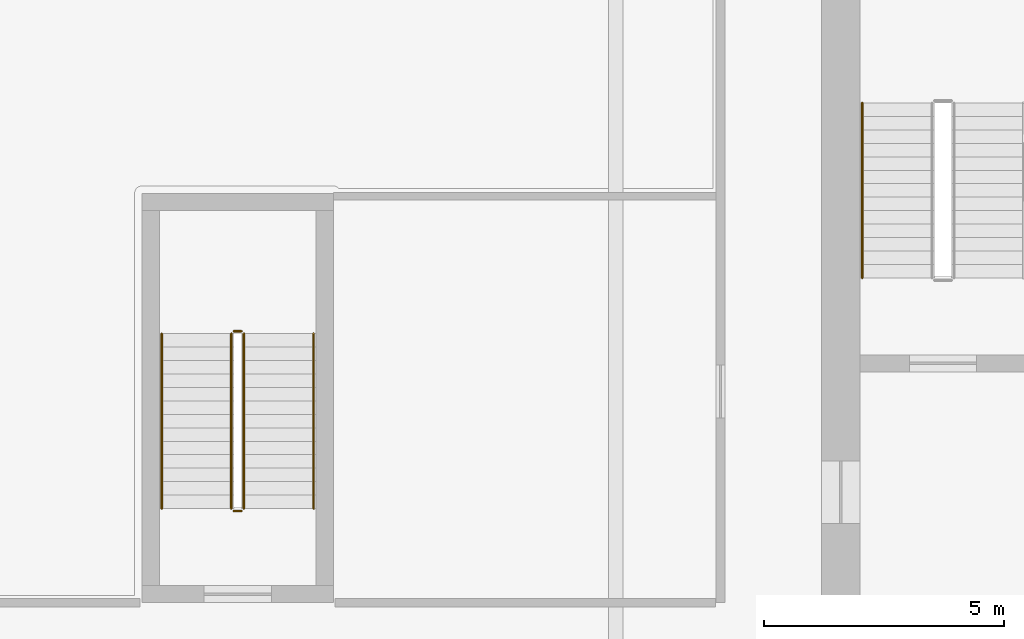
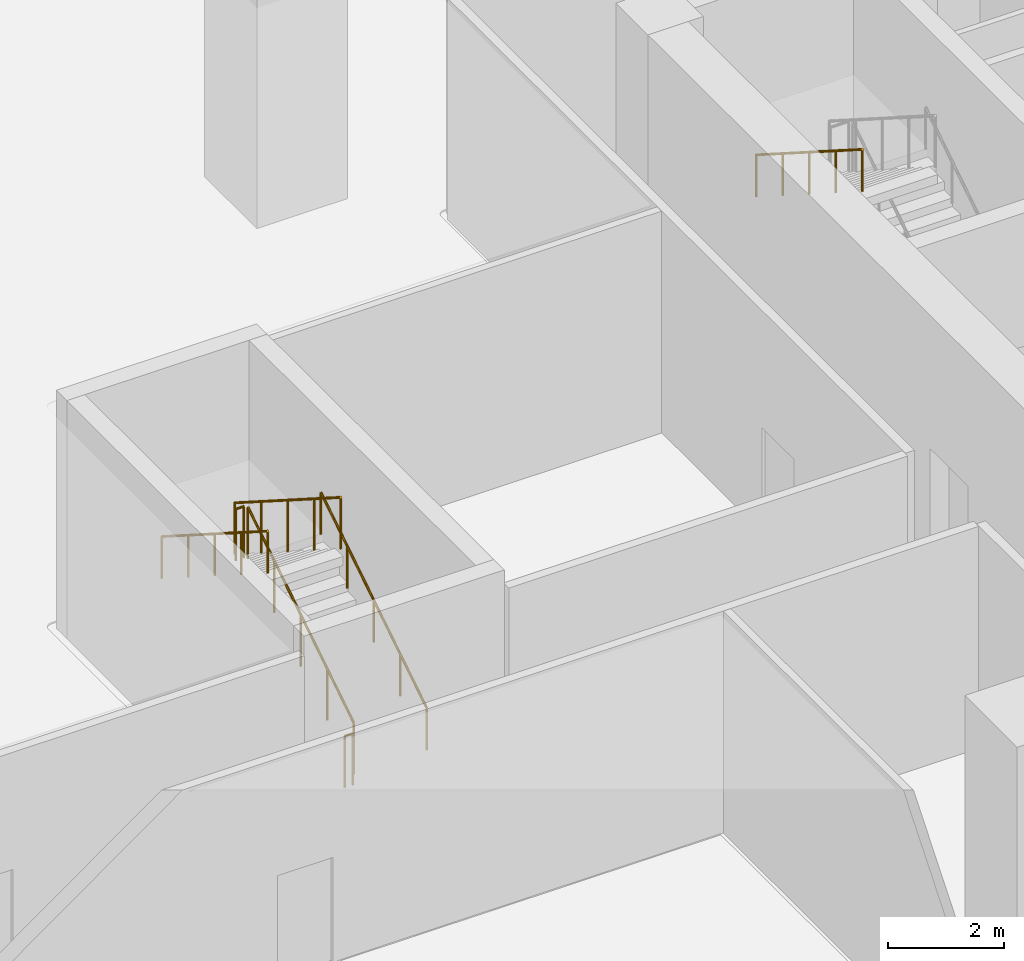
# One storey, part 11 of 15: 7 railings.
"""IFC4 building model written with IfcOpenShell, lengths in metres."""

from ifc_helpers import new_model, si_unit, direction, frame, origin, origin_2d, place, context, subcontext, project, spatial, circle, extrude, source, transform, mapped, material, type_object, element, save


model = new_model("IFC4")

# Units and contexts
model_context = context("Model", 3, precision=1e-05, world=origin(), true_north=direction((0.0, 1.0)))
body_context = subcontext(model_context, "Body", "Model", "MODEL_VIEW")
ifc_project = project(units=[si_unit("LENGTHUNIT", "METRE"), si_unit("AREAUNIT", "SQUARE_METRE"), si_unit("VOLUMEUNIT", "CUBIC_METRE"), si_unit("PLANEANGLEUNIT", "RADIAN"), si_unit("MASSUNIT", "GRAM", prefix="KILO"), si_unit("THERMODYNAMICTEMPERATUREUNIT", "KELVIN")], contexts=[model_context])

# Site, building, storey
site_placement = place(None, origin())
site = spatial("IfcSite", under=ifc_project, at=site_placement, CompositionType="ELEMENT")
building_placement = place(site_placement, origin())
building = spatial("IfcBuilding", under=site, at=building_placement, Name="Kosmvard Interchange Tower", CompositionType="ELEMENT")
storey_placement = place(building_placement, frame((0.0, 0.0, 11.0)))
storey = spatial("IfcBuildingStorey", under=building, at=storey_placement, Name="L02", CompositionType="ELEMENT", Elevation=11.0)

# Railings
ifc_material = material(Name="Steel S355", Category="steel")
railing_type_1 = type_object("IfcRailingType", Name="Stair & Terrace Safety Guardrail 1100 Steel", PredefinedType="GUARDRAIL", material=ifc_material)
shared_shape_1 = source(origin(), body_context, "Body", "SweptSolid", [
    extrude(circle(Radius=0.02392578125, at=origin_2d()), frame((0.0, 0.0, 1.076171875), z_axis=(0.0, 0.843111507901, 0.53773877045), x_axis=(-1.0, 0.0, 0.0)), (0.0, 0.0, 1.0), 4.317138671875),
    extrude(circle(Radius=0.02099609375, at=origin_2d()), origin(), (0.0, 0.0, 1.0), 1.052001953125),
    extrude(circle(Radius=0.02099609375, at=origin_2d()), frame((0.0, 0.909912109375, 0.580322265625)), (0.0, 0.0, 1.0), 1.052001953125),
    extrude(circle(Radius=0.02099609375, at=origin_2d()), frame((0.0, 1.81982421875, 1.16064453125)), (0.0, 0.0, 1.0), 1.052001953125),
    extrude(circle(Radius=0.02099609375, at=origin_2d()), frame((0.0, 2.72998046875, 1.7412109375)), (0.0, 0.0, 1.0), 1.052001953125),
    extrude(circle(Radius=0.02099609375, at=origin_2d()), frame((0.0, 3.639892578125, 2.321533203125)), (0.0, 0.0, 1.0), 1.052001953125),
])
railing_1_placement = place(storey_placement, frame((-20.820068359375, -3.0, 0.178466796875)))
element("IfcRailing", 1, at=railing_1_placement, inside=storey, type_object=railing_type_1, Name="L02 ST-3 stair guard 1", PredefinedType="GUARDRAIL", context=body_context, shape_type="MappedRepresentation", body=[
    mapped(shared_shape_1, transform((0.0, 0.0, 0.0), scale=1.0)),
])
shared_shape_2 = source(origin(), body_context, "Body", "SweptSolid", [
    extrude(circle(Radius=0.02392578125, at=origin_2d()), frame((0.0, 0.0, 1.076171875), z_axis=(0.0, -0.843111507901, 0.53773877045), x_axis=(1.0, 0.0, 0.0)), (0.0, 0.0, 1.0), 4.317138671875),
    extrude(circle(Radius=0.02099609375, at=origin_2d()), origin(), (0.0, 0.0, 1.0), 1.052001953125),
    extrude(circle(Radius=0.02099609375, at=origin_2d()), frame((0.0, -0.909912109375, 0.580322265625)), (0.0, 0.0, 1.0), 1.052001953125),
    extrude(circle(Radius=0.02099609375, at=origin_2d()), frame((0.0, -1.81982421875, 1.16064453125)), (0.0, 0.0, 1.0), 1.052001953125),
    extrude(circle(Radius=0.02099609375, at=origin_2d()), frame((0.0, -2.72998046875, 1.7412109375)), (0.0, 0.0, 1.0), 1.052001953125),
    extrude(circle(Radius=0.02099609375, at=origin_2d()), frame((0.0, -3.639892578125, 2.321533203125)), (0.0, 0.0, 1.0), 1.052001953125),
])
railing_2_placement = place(storey_placement, frame((-21.080078125, 0.639892578125, 2.678466796875)))
element("IfcRailing", 2, at=railing_2_placement, inside=storey, type_object=railing_type_1, Name="L02 ST-3 stair guard 3", PredefinedType="GUARDRAIL", context=body_context, shape_type="MappedRepresentation", body=[
    mapped(shared_shape_2, transform((0.0, 0.0, 0.0), scale=1.0)),
])
railing_type_2 = type_object("IfcRailingType", Name="Wall-Mounted Stair Handrail 900 Steel", PredefinedType="HANDRAIL", material=ifc_material)
shared_shape_3 = source(origin(), body_context, "Body", "SweptSolid", [
    extrude(circle(Radius=0.02392578125, at=origin_2d()), frame((0.0, 0.0, 0.8759765625), z_axis=(0.0, 0.843111507901, 0.53773877045), x_axis=(-1.0, 0.0, 0.0)), (0.0, 0.0, 1.0), 4.317138671875),
    extrude(circle(Radius=0.02099609375, at=origin_2d()), origin(), (0.0, 0.0, 1.0), 0.851806640625),
    extrude(circle(Radius=0.02099609375, at=origin_2d()), frame((0.0, 0.909912109375, 0.580322265625)), (0.0, 0.0, 1.0), 0.851806640625),
    extrude(circle(Radius=0.02099609375, at=origin_2d()), frame((0.0, 1.81982421875, 1.16064453125)), (0.0, 0.0, 1.0), 0.851806640625),
    extrude(circle(Radius=0.02099609375, at=origin_2d()), frame((0.0, 2.72998046875, 1.7412109375)), (0.0, 0.0, 1.0), 0.851806640625),
    extrude(circle(Radius=0.02099609375, at=origin_2d()), frame((0.0, 3.639892578125, 2.321533203125)), (0.0, 0.0, 1.0), 0.851806640625),
])
railing_3_placement = place(storey_placement, frame((-19.3701171875, -3.0, 0.178466796875)))
element("IfcRailing", 3, at=railing_3_placement, inside=storey, type_object=railing_type_2, Name="L02 ST-3 stair handrail 1", PredefinedType="HANDRAIL", context=body_context, shape_type="MappedRepresentation", body=[
    mapped(shared_shape_3, transform((0.0, 0.0, 0.0), scale=1.0)),
])
shared_shape_4 = source(origin(), body_context, "Body", "SweptSolid", [
    extrude(circle(Radius=0.02392578125, at=origin_2d()), frame((0.0, 0.0, 0.8759765625), z_axis=(0.0, -0.843111507901, 0.53773877045), x_axis=(1.0, 0.0, 0.0)), (0.0, 0.0, 1.0), 4.317138671875),
    extrude(circle(Radius=0.02099609375, at=origin_2d()), origin(), (0.0, 0.0, 1.0), 0.851806640625),
    extrude(circle(Radius=0.02099609375, at=origin_2d()), frame((0.0, -0.909912109375, 0.580322265625)), (0.0, 0.0, 1.0), 0.851806640625),
    extrude(circle(Radius=0.02099609375, at=origin_2d()), frame((0.0, -1.81982421875, 1.16064453125)), (0.0, 0.0, 1.0), 0.851806640625),
    extrude(circle(Radius=0.02099609375, at=origin_2d()), frame((0.0, -2.72998046875, 1.7412109375)), (0.0, 0.0, 1.0), 0.851806640625),
    extrude(circle(Radius=0.02099609375, at=origin_2d()), frame((0.0, -3.639892578125, 2.321533203125)), (0.0, 0.0, 1.0), 0.851806640625),
])
for number, where, name in (
    (4, (-7.949951171875, 5.43994140625, 2.678466796875), "L02 ST-1 stair handrail 2"),
    (5, (-22.530029296875, 0.639892578125, 2.678466796875), "L02 ST-3 stair handrail 2"),
):
    element("IfcRailing", number, at=place(storey_placement, frame(where)), inside=storey, type_object=railing_type_2, Name=name, PredefinedType="HANDRAIL", context=body_context, shape_type="MappedRepresentation", body=[
        mapped(shared_shape_4, transform((0.0, 0.0, 0.0), scale=1.0)),
    ])
shared_shape_5 = source(origin(), body_context, "Body", "SweptSolid", [
    extrude(circle(Radius=0.02392578125, at=origin_2d()), frame((0.0, 0.0, 1.076171875), z_axis=(-1.0, 0.0, 0.0), x_axis=(0.0, -1.0, 0.0)), (0.0, 0.0, 1.0), 0.159912109375),
    extrude(circle(Radius=0.02099609375, at=origin_2d()), origin(), (0.0, 0.0, 1.0), 1.052001953125),
    extrude(circle(Radius=0.02099609375, at=origin_2d()), frame((-0.159912109375, 0.0, 0.0)), (0.0, 0.0, 1.0), 1.052001953125),
])
for number, where, name in (
    (6, (-20.8701171875, 0.68994140625, 2.5), "L02 ST-3 stair guard 2"),
    (7, (-20.8701171875, -3.050048828125, 0.0), "L02 ST-3 stair guard 4"),
):
    element("IfcRailing", number, at=place(storey_placement, frame(where)), inside=storey, type_object=railing_type_1, Name=name, PredefinedType="GUARDRAIL", context=body_context, shape_type="MappedRepresentation", body=[
        mapped(shared_shape_5, transform((0.0, 0.0, 0.0), scale=1.0)),
    ])

save(model, "model.ifc")
